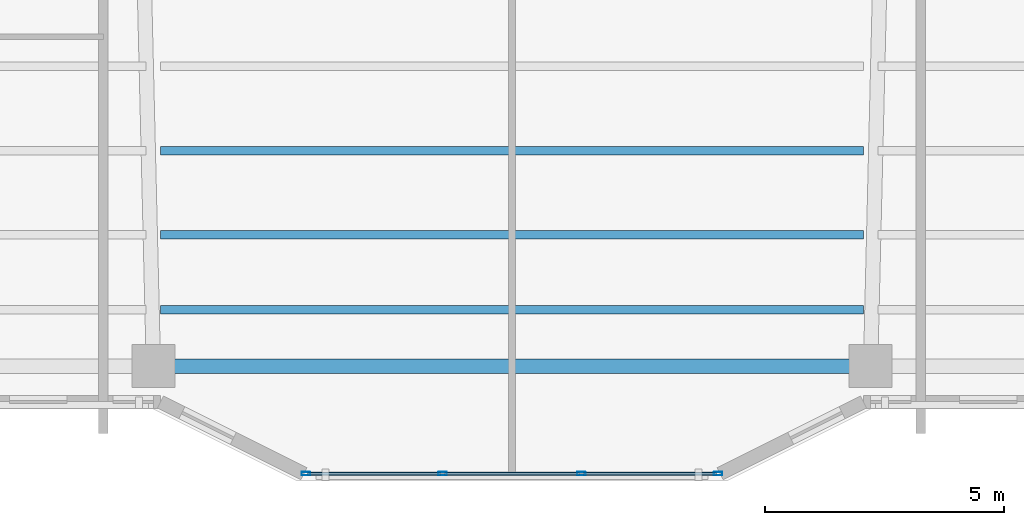
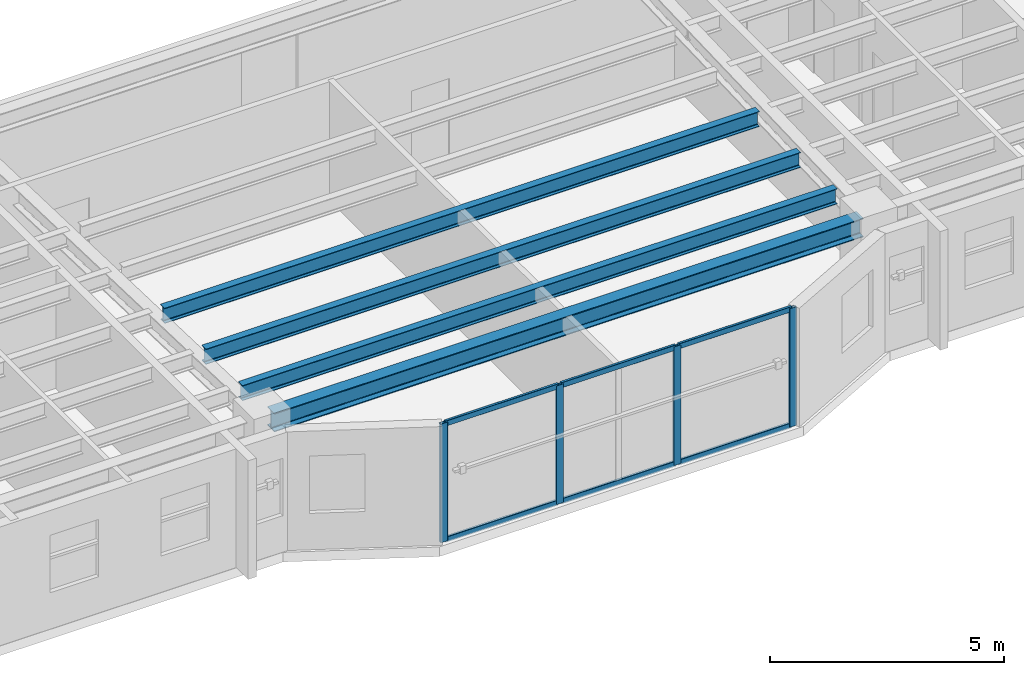
# One storey, part 2 of 16: 10 members, 4 beams, 1 element without a shape of its own.
"""IFC4 building model written with IfcOpenShell, lengths in metres."""

import ifcopenshell
import ifcopenshell.guid

model = None  # the IFC model being written
_history = None  # IfcOwnerHistory: only IFC2X3 demands one
_inside = {}  # id of a spatial element -> (the spatial element, [elements in it])
_under = {}  # id of a project, library or spatial element -> (it, [spatial elements below it])
_declared = {}  # id of a project -> (the project, [libraries it declares])
_typed = {}  # id of a type object -> (the type object, [elements of that type])
_made_of = {}  # id of a material, layer set ... -> (it, [elements and type objects made of it])


def new_model(schema):
    """Start an empty IFC model of exactly this schema.

    Asked for "IFC4X3", IfcOpenShell would pick the latest addendum, in which some entities
    have other attributes; the version numbers below select the first issue.
    IFC2X3 requires an IfcOwnerHistory on every rooted entity: one is made here for all.
    """
    global model, _history
    if schema == "IFC4X3":
        model = ifcopenshell.file(schema_version=(4, 3, 0, 0))
    else:
        model = ifcopenshell.file(schema=schema)
    _inside.clear()
    _under.clear()
    _declared.clear()
    _typed.clear()
    _made_of.clear()
    _history = None
    if model.schema == "IFC2X3":
        org = make("IfcOrganization", Name="unknown")
        user = make(
            "IfcPersonAndOrganization",
            ThePerson=make("IfcPerson", FamilyName="unknown"),
            TheOrganization=org,
        )
        app = make(
            "IfcApplication",
            ApplicationDeveloper=org,
            Version="unknown",
            ApplicationFullName="unknown",
            ApplicationIdentifier="unknown",
        )
        _history = make(
            "IfcOwnerHistory",
            OwningUser=user,
            OwningApplication=app,
            ChangeAction="ADDED",
            CreationDate=0,
        )
    return model


def make(cls, **values):
    """One entity of the class cls with the attributes given. An attribute that is None is left unset."""
    return model.create_entity(
        cls, **{name: value for name, value in values.items() if value is not None}
    )


def rooted(cls, **values):
    """An entity with a GlobalId (a new one), such as an element, a storey or a relation."""
    return make(cls, GlobalId=ifcopenshell.guid.new(), OwnerHistory=_history, **values)


def si_unit(unit_type, name, prefix=None):
    """IfcSIUnit, for example si_unit("LENGTHUNIT", "METRE", prefix="MILLI")."""
    return make("IfcSIUnit", UnitType=unit_type, Prefix=prefix, Name=name)


def assignment(units):
    """IfcUnitAssignment: the units of a project."""
    return None if units is None else make("IfcUnitAssignment", Units=units)


def point(xyz):
    """IfcCartesianPoint."""
    return None if xyz is None else make("IfcCartesianPoint", Coordinates=xyz)


def direction(xyz):
    """IfcDirection."""
    return None if xyz is None else make("IfcDirection", DirectionRatios=xyz)


def frame(location, z_axis=None, x_axis=None):
    """IfcAxis2Placement3D, a coordinate frame: its origin and axes. An axis left out is left unset."""
    return make(
        "IfcAxis2Placement3D",
        Location=point(location),
        Axis=direction(z_axis),
        RefDirection=direction(x_axis),
    )


def frame_2d(location, x_axis=None):
    """IfcAxis2Placement2D, a coordinate frame in the plane: its origin and x axis."""
    return make(
        "IfcAxis2Placement2D", Location=point(location), RefDirection=direction(x_axis)
    )


def origin():
    """The frame at (0, 0, 0) with its axes left unset."""
    return frame((0.0, 0.0, 0.0))


def origin_2d():
    """The frame at (0, 0) in the plane with its x axis left unset."""
    return frame_2d((0.0, 0.0))


def place(relative_to, where):
    """IfcLocalPlacement: puts the frame where relative to a parent placement (None: the world)."""
    return make(
        "IfcLocalPlacement", PlacementRelTo=relative_to, RelativePlacement=where
    )


def context(
    kind, dimensions, precision=None, world=None, true_north=None, identifier=None
):
    """IfcGeometricRepresentationContext, for example the 3D "Model" context."""
    return make(
        "IfcGeometricRepresentationContext",
        ContextIdentifier=identifier,
        ContextType=kind,
        CoordinateSpaceDimension=dimensions,
        Precision=precision,
        WorldCoordinateSystem=world,
        TrueNorth=true_north,
    )


def subcontext(parent, identifier, kind, view, scale=None):
    """IfcGeometricRepresentationSubContext, for example "Body" below "Model"."""
    return make(
        "IfcGeometricRepresentationSubContext",
        ContextIdentifier=identifier,
        ContextType=kind,
        ParentContext=parent,
        TargetScale=scale,
        TargetView=view,
    )


def project(units=None, contexts=None):
    """IfcProject with its units and contexts."""
    return rooted(
        "IfcProject",
        Name="project",
        RepresentationContexts=contexts,
        UnitsInContext=assignment(units),
    )


def spatial(cls, under=None, at=None, **own):
    """A site, building, storey or space (cls), placed at a placement, below another one or the project."""
    s = rooted(cls, ObjectPlacement=at, **own)
    if under is not None:
        _under.setdefault(under.id(), (under, []))[1].append(s)
    return s


def profile(cls, at=None, kind="AREA", **sizes):
    """A parametric profile (cls). Its sizes go by their IFC names, for example OverallWidth=200.0."""
    return make(cls, ProfileType=kind, Position=at, **sizes)


def hollow_rectangle(**sizes):
    """IfcRectangleHollowProfileDef."""
    return profile("IfcRectangleHollowProfileDef", **sizes)


def i_section(**sizes):
    """IfcIShapeProfileDef."""
    return profile("IfcIShapeProfileDef", **sizes)


def extrude(swept, where, along, depth):
    """IfcExtrudedAreaSolid: the profile swept, set in the frame where, extruded along a direction by depth."""
    return make(
        "IfcExtrudedAreaSolid",
        SweptArea=swept,
        Position=where,
        ExtrudedDirection=direction(along),
        Depth=depth,
    )


def shape(context_of_items, identifier, shape_type, items):
    """IfcShapeRepresentation: the items that make up one representation, for example the "Body"."""
    return make(
        "IfcShapeRepresentation",
        ContextOfItems=context_of_items,
        RepresentationIdentifier=identifier,
        RepresentationType=shape_type,
        Items=items,
    )


def material(Name=None, Category=None):
    """IfcMaterial."""
    return make("IfcMaterial", Name=Name, Category=Category)


def layer(
    of_material, thickness, ventilated=None, Name=None, Category=None, Priority=None
):
    """IfcMaterialLayer: one layer of a wall or slab, of a material (None: an air gap)."""
    return make(
        "IfcMaterialLayer",
        Material=of_material,
        LayerThickness=thickness,
        IsVentilated=ventilated,
        Name=Name,
        Category=Category,
        Priority=Priority,
    )


def layer_set(layers, Name=None):
    """IfcMaterialLayerSet."""
    return make("IfcMaterialLayerSet", MaterialLayers=layers, LayerSetName=Name)


def material_profile(
    of_material, cross_section, Name=None, Category=None, Priority=None
):
    """IfcMaterialProfile: a cross section and its material."""
    return make(
        "IfcMaterialProfile",
        Name=Name,
        Material=of_material,
        Profile=cross_section,
        Priority=Priority,
        Category=Category,
    )


def profile_set(profiles, Name=None, composite=None):
    """IfcMaterialProfileSet."""
    return make(
        "IfcMaterialProfileSet",
        Name=Name,
        MaterialProfiles=profiles,
        CompositeProfile=composite,
    )


def made_of(thing, what):
    """Note that an element or type object is made of a material, layer set ...; save() writes the relation."""
    if what is not None:
        _made_of.setdefault(what.id(), (what, []))[1].append(thing)
    return thing


def type_object(cls, material=None, **own):
    """A type object (cls), such as IfcWallType, which elements share."""
    return made_of(rooted(cls, **own), material)


def element(
    cls,
    number,
    at=None,
    inside=None,
    cuts=None,
    type_object=None,
    material=None,
    context=None,
    identifier="Body",
    shape_type=None,
    held_by="IfcProductDefinitionShape",
    body=None,
    shapes=None,
    **own,
):
    """One element of the class cls, such as IfcWall. Its Tag is "e" and its number.

    at: its placement. inside: the storey or other place that contains it. cuts: it is an
    opening in that element (IfcRelVoidsElement). A single representation is given by context,
    identifier, shape_type and body (its items); several are given by shapes. held_by: the class
    of the entity that holds the representations. save() writes the other relations.
    """
    e = rooted(cls, Tag="e%d" % number, ObjectPlacement=at, **own)
    if body is not None:
        shapes = [shape(context, identifier, shape_type, body)]
    if shapes is not None:
        e.Representation = make(held_by, Representations=shapes)
    if inside is not None:
        _inside.setdefault(inside.id(), (inside, []))[1].append(e)
    if cuts is not None:
        rooted(
            "IfcRelVoidsElement", RelatingBuildingElement=cuts, RelatedOpeningElement=e
        )
    if type_object is not None:
        _typed.setdefault(type_object.id(), (type_object, []))[1].append(e)
    return made_of(e, material)


def aggregate(whole, parts):
    """IfcRelAggregates: a whole, such as a stair, and the parts it consists of."""
    return rooted("IfcRelAggregates", RelatingObject=whole, RelatedObjects=parts)


def save(model, path):
    """Write the relations noted so far, then the file.

    IfcRelAggregates (storeys below a building ...), IfcRelContainedInSpatialStructure (elements
    in a storey), IfcRelDefinesByType, IfcRelAssociatesMaterial and IfcRelDeclares: one each for
    every whole, place, type object, material and project.
    """
    for whole, parts in _under.values():
        aggregate(whole, parts)
    for where, things in _inside.values():
        rooted(
            "IfcRelContainedInSpatialStructure",
            RelatedElements=things,
            RelatingStructure=where,
        )
    for kind, things in _typed.values():
        rooted("IfcRelDefinesByType", RelatedObjects=things, RelatingType=kind)
    for what, things in _made_of.values():
        rooted("IfcRelAssociatesMaterial", RelatedObjects=things, RelatingMaterial=what)
    for by, libraries in _declared.values():
        rooted("IfcRelDeclares", RelatingContext=by, RelatedDefinitions=libraries)
    model.write(path)


model = new_model("IFC4")

# Units and contexts
model_context = context("Model", 3, precision=1e-05, world=origin(), true_north=direction((0.0, 1.0)))
body_context = subcontext(model_context, "Body", "Model", "MODEL_VIEW")
ifc_project = project(units=[si_unit("LENGTHUNIT", "METRE"), si_unit("AREAUNIT", "SQUARE_METRE"), si_unit("VOLUMEUNIT", "CUBIC_METRE"), si_unit("PLANEANGLEUNIT", "RADIAN"), si_unit("MASSUNIT", "GRAM", prefix="KILO")], contexts=[model_context])

# Site, building, storey
site_placement = place(None, origin())
site = spatial("IfcSite", under=ifc_project, at=site_placement, CompositionType="ELEMENT")
building_placement = place(site_placement, origin())
building = spatial("IfcBuilding", under=site, at=building_placement, Name="Tarnavaz Court Tower", CompositionType="ELEMENT")
storey_placement = place(building_placement, frame((0.0, 0.0, 156.050048828125)))
storey = spatial("IfcBuildingStorey", under=building, at=storey_placement, Name="L42", CompositionType="ELEMENT", Elevation=156.050048828125)

# Beams
ifc_material_1 = material(Name="Steel S355", Category="steel")
ifc_material_profile_1 = material_profile(ifc_material_1, i_section(OverallWidth=0.179931640625, OverallDepth=0.39990234375, WebThickness=0.008544921875, FlangeThickness=0.013427734375, FilletRadius=0.02099609375, at=origin_2d()), Name="IPE 400")
ifc_profile_set_1 = profile_set([ifc_material_profile_1], Name="Steel S355")
beam_type_1 = type_object("IfcBeamType", Name="BM-J-IPE400", PredefinedType="JOIST", material=ifc_profile_set_1)
for number, where, z_axis, x_axis, name in (
    (1, (-7.35009765625, -15.89208984375, 2.89990234375), (1.0, 0.0, 0.0), (0.0, 1.0, 0.0), "L42 Beam JS3-2"),
    (2, (-7.35009765625, -17.656005859375, 2.89990234375), (1.0, 0.0, 0.0), (0.0, 1.0, 0.0), "L42 Beam JS4-2"),
    (3, (-7.35009765625, -19.22412109375, 2.89990234375), (1.0, 0.0, 0.0), (0.0, 1.0, 0.0), "L42 Beam JS5-2"),
):
    element("IfcBeam", number, at=place(storey_placement, frame(where, z_axis=z_axis, x_axis=x_axis)), inside=storey, type_object=beam_type_1, Name=name, PredefinedType="JOIST", context=body_context, shape_type="SweptSolid", body=[
        extrude(i_section(OverallWidth=0.179931640625, OverallDepth=0.39990234375, WebThickness=0.008544921875, FlangeThickness=0.013427734375, FilletRadius=0.02099609375, at=origin_2d()), origin(), (0.0, 0.0, 1.0), 14.7001953125),
    ])
ifc_material_profile_2 = material_profile(ifc_material_1, i_section(OverallWidth=0.300048828125, OverallDepth=0.489990234375, WebThickness=0.011962890625, FlangeThickness=0.02294921875, FilletRadius=0.027099609375, at=origin_2d()), Name="HEA 500")
ifc_profile_set_2 = profile_set([ifc_material_profile_2], Name="Steel S355")
beam_type_2 = type_object("IfcBeamType", Name="BM-SP-HEA500", PredefinedType="SPANDREL", material=ifc_profile_set_2)
beam_placement = place(storey_placement, frame((-7.280029296875, -20.39990234375, 2.85498046875), z_axis=(1.0, 0.0, 0.0), x_axis=(0.0, 1.0, 0.0)))
element("IfcBeam", 4, at=beam_placement, inside=storey, type_object=beam_type_2, Name="L42 Beam PR-PS-2-PS-3", PredefinedType="SPANDREL", context=body_context, shape_type="SweptSolid", body=[
    extrude(i_section(OverallWidth=0.300048828125, OverallDepth=0.489990234375, WebThickness=0.011962890625, FlangeThickness=0.02294921875, FilletRadius=0.027099609375, at=origin_2d()), origin(), (0.0, 0.0, 1.0), 14.56005859375),
])

# Curtain wall, members
ifc_material_2 = material(Name="Anodised Aluminium 6063-T6 and Solar Low-E Glazing", Category="aluminium")
ifc_layer = layer(ifc_material_2, 0.159912109375)
ifc_layer_set = layer_set([ifc_layer], Name="Anodised Aluminium 6063-T6 and Solar Low-E Glazing")
curtain_wall_type = type_object("IfcCurtainWallType", Name="CW-SYS-03", PredefinedType="NOTDEFINED", material=ifc_layer_set)
curtain_wall_placement = place(storey_placement, origin())
curtain_wall = element("IfcCurtainWall", 5, at=curtain_wall_placement, inside=storey, type_object=curtain_wall_type, Name="L42 Iwan Prow Curtain Wall 17", PredefinedType="NOTDEFINED")
ifc_material_3 = material(Name="Anodised Aluminium 6063-T6", Category="aluminium")
ifc_material_profile_3 = material_profile(ifc_material_3, hollow_rectangle(XDim=0.074951171875, YDim=0.179931640625, WallThickness=0.0048828125, InnerFilletRadius=0.0048828125, OuterFilletRadius=0.010009765625, at=origin_2d()), Name="ALU RHS 180X75X5")
ifc_profile_set_3 = profile_set([ifc_material_profile_3], Name="Anodised Aluminium 6063-T6")
member_type_1 = type_object("IfcMemberType", Name="CW-MUL-180", PredefinedType="MULLION", material=ifc_profile_set_3)
member_1_placement = place(storey_placement, frame((4.3125, -22.64990234375, 0.0), z_axis=(0.0, 0.0, 1.0), x_axis=(0.0, -1.0, 0.0)))
member_1 = element("IfcMember", 6, at=member_1_placement, type_object=member_type_1, Name="CW mullion 1", PredefinedType="MULLION", context=body_context, shape_type="SweptSolid", body=[
    extrude(hollow_rectangle(XDim=0.074951171875, YDim=0.179931640625, WallThickness=0.0048828125, InnerFilletRadius=0.0048828125, OuterFilletRadius=0.010009765625, at=origin_2d()), origin(), (0.0, 0.0, 1.0), 3.099853515625),
])
member_2_placement = place(storey_placement, frame((1.449951171875, -22.64990234375, 0.0), z_axis=(0.0, 0.0, 1.0), x_axis=(0.0, -1.0, 0.0)))
member_2 = element("IfcMember", 7, at=member_2_placement, type_object=member_type_1, Name="CW mullion 2", PredefinedType="MULLION", context=body_context, shape_type="SweptSolid", body=[
    extrude(hollow_rectangle(XDim=0.074951171875, YDim=0.179931640625, WallThickness=0.0048828125, InnerFilletRadius=0.0048828125, OuterFilletRadius=0.010009765625, at=origin_2d()), origin(), (0.0, 0.0, 1.0), 3.099853515625),
])
member_3_placement = place(storey_placement, frame((-1.449951171875, -22.64990234375, 0.0), z_axis=(0.0, 0.0, 1.0), x_axis=(0.0, -1.0, 0.0)))
member_3 = element("IfcMember", 8, at=member_3_placement, type_object=member_type_1, Name="CW mullion 3", PredefinedType="MULLION", context=body_context, shape_type="SweptSolid", body=[
    extrude(hollow_rectangle(XDim=0.074951171875, YDim=0.179931640625, WallThickness=0.0048828125, InnerFilletRadius=0.0048828125, OuterFilletRadius=0.010009765625, at=origin_2d()), origin(), (0.0, 0.0, 1.0), 3.099853515625),
])
member_4_placement = place(storey_placement, frame((-4.3125, -22.64990234375, 0.0), z_axis=(0.0, 0.0, 1.0), x_axis=(0.0, -1.0, 0.0)))
member_4 = element("IfcMember", 9, at=member_4_placement, type_object=member_type_1, Name="CW mullion 4", PredefinedType="MULLION", context=body_context, shape_type="SweptSolid", body=[
    extrude(hollow_rectangle(XDim=0.074951171875, YDim=0.179931640625, WallThickness=0.0048828125, InnerFilletRadius=0.0048828125, OuterFilletRadius=0.010009765625, at=origin_2d()), origin(), (0.0, 0.0, 1.0), 3.099853515625),
])
ifc_material_profile_4 = material_profile(ifc_material_3, hollow_rectangle(XDim=0.06494140625, YDim=0.139892578125, WallThickness=0.00390625, InnerFilletRadius=0.00390625, OuterFilletRadius=0.008056640625, at=origin_2d()), Name="ALU RHS 140X65X4")
ifc_profile_set_4 = profile_set([ifc_material_profile_4], Name="Anodised Aluminium 6063-T6")
member_type_2 = type_object("IfcMemberType", Name="CW-TRN-140", PredefinedType="USERDEFINED", material=ifc_profile_set_4)
member_5_placement = place(storey_placement, frame((4.27490234375, -22.64990234375, 0.032470703125), z_axis=(-1.0, 0.0, 0.0), x_axis=(0.0, -1.0, 0.0)))
member_5 = element("IfcMember", 10, at=member_5_placement, type_object=member_type_2, Name="CW transom 1.1", ObjectType="TRANSOM", PredefinedType="USERDEFINED", context=body_context, shape_type="SweptSolid", body=[
    extrude(hollow_rectangle(XDim=0.06494140625, YDim=0.139892578125, WallThickness=0.00390625, InnerFilletRadius=0.00390625, OuterFilletRadius=0.008056640625, at=origin_2d()), origin(), (0.0, 0.0, 1.0), 2.787353515625),
])
member_6_placement = place(storey_placement, frame((4.27490234375, -22.64990234375, 3.0673828125), z_axis=(-1.0, 0.0, 0.0), x_axis=(0.0, -1.0, 0.0)))
member_6 = element("IfcMember", 11, at=member_6_placement, type_object=member_type_2, Name="CW transom 1.2", ObjectType="TRANSOM", PredefinedType="USERDEFINED", context=body_context, shape_type="SweptSolid", body=[
    extrude(hollow_rectangle(XDim=0.06494140625, YDim=0.139892578125, WallThickness=0.00390625, InnerFilletRadius=0.00390625, OuterFilletRadius=0.008056640625, at=origin_2d()), origin(), (0.0, 0.0, 1.0), 2.787353515625),
])
member_7_placement = place(storey_placement, frame((1.41259765625, -22.64990234375, 0.032470703125), z_axis=(-1.0, 0.0, 0.0), x_axis=(0.0, -1.0, 0.0)))
member_7 = element("IfcMember", 12, at=member_7_placement, type_object=member_type_2, Name="CW transom 2.1", ObjectType="TRANSOM", PredefinedType="USERDEFINED", context=body_context, shape_type="SweptSolid", body=[
    extrude(hollow_rectangle(XDim=0.06494140625, YDim=0.139892578125, WallThickness=0.00390625, InnerFilletRadius=0.00390625, OuterFilletRadius=0.008056640625, at=origin_2d()), origin(), (0.0, 0.0, 1.0), 2.8251953125),
])
member_8_placement = place(storey_placement, frame((1.41259765625, -22.64990234375, 3.0673828125), z_axis=(-1.0, 0.0, 0.0), x_axis=(0.0, -1.0, 0.0)))
member_8 = element("IfcMember", 13, at=member_8_placement, type_object=member_type_2, Name="CW transom 2.2", ObjectType="TRANSOM", PredefinedType="USERDEFINED", context=body_context, shape_type="SweptSolid", body=[
    extrude(hollow_rectangle(XDim=0.06494140625, YDim=0.139892578125, WallThickness=0.00390625, InnerFilletRadius=0.00390625, OuterFilletRadius=0.008056640625, at=origin_2d()), origin(), (0.0, 0.0, 1.0), 2.8251953125),
])
member_9_placement = place(storey_placement, frame((-1.487548828125, -22.64990234375, 0.032470703125), z_axis=(-1.0, 0.0, 0.0), x_axis=(0.0, -1.0, 0.0)))
member_9 = element("IfcMember", 14, at=member_9_placement, type_object=member_type_2, Name="CW transom 3.1", ObjectType="TRANSOM", PredefinedType="USERDEFINED", context=body_context, shape_type="SweptSolid", body=[
    extrude(hollow_rectangle(XDim=0.06494140625, YDim=0.139892578125, WallThickness=0.00390625, InnerFilletRadius=0.00390625, OuterFilletRadius=0.008056640625, at=origin_2d()), origin(), (0.0, 0.0, 1.0), 2.787353515625),
])
member_10_placement = place(storey_placement, frame((-1.487548828125, -22.64990234375, 3.0673828125), z_axis=(-1.0, 0.0, 0.0), x_axis=(0.0, -1.0, 0.0)))
member_10 = element("IfcMember", 15, at=member_10_placement, type_object=member_type_2, Name="CW transom 3.2", ObjectType="TRANSOM", PredefinedType="USERDEFINED", context=body_context, shape_type="SweptSolid", body=[
    extrude(hollow_rectangle(XDim=0.06494140625, YDim=0.139892578125, WallThickness=0.00390625, InnerFilletRadius=0.00390625, OuterFilletRadius=0.008056640625, at=origin_2d()), origin(), (0.0, 0.0, 1.0), 2.787353515625),
])
aggregate(curtain_wall, [member_1, member_2, member_3, member_4, member_5, member_6, member_7, member_8, member_9, member_10])

save(model, "model.ifc")
